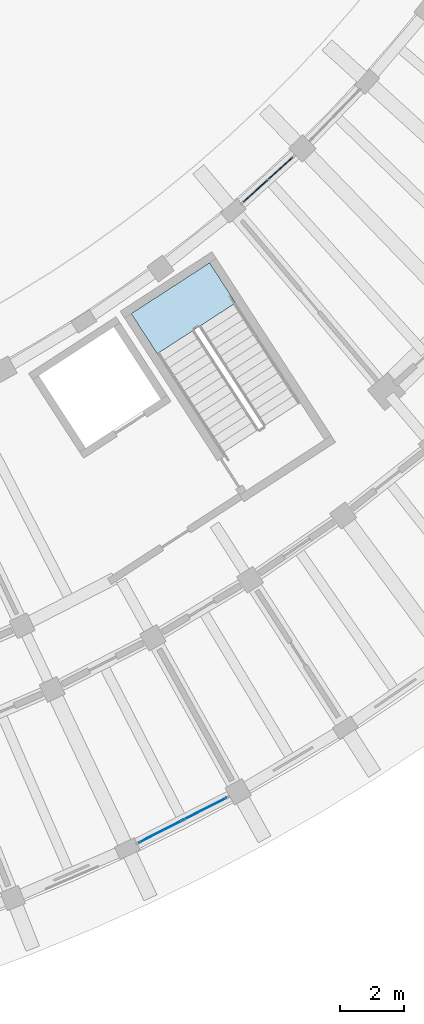
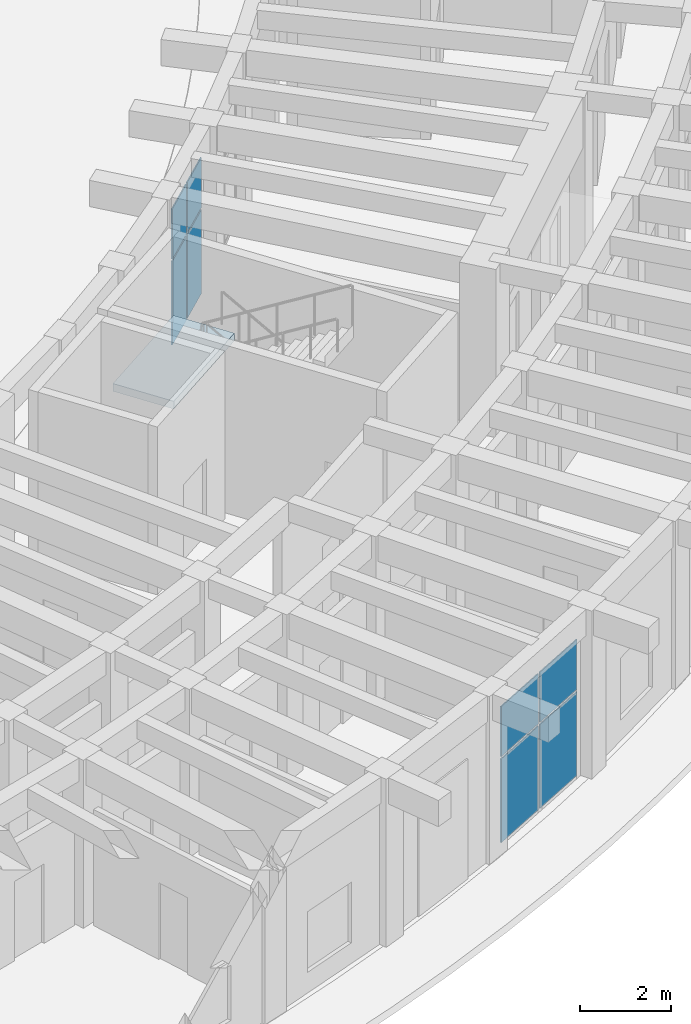
# One storey, part 80 of 132: 8 plates, 1 slab, 3 elements without a shape of their own.
"""IFC4 building model written with IfcOpenShell, lengths in metres."""

from ifc_helpers import new_model, si_unit, direction, frame, origin, origin_2d, place, context, subcontext, project, spatial, polyline, rectangle, outline, extrude, material, layer, layer_set, type_object, element, aggregate, save


model = new_model("IFC4")

# Units and contexts
model_context = context("Model", 3, precision=1e-05, world=origin(), true_north=direction((0.0, 1.0)))
body_context = subcontext(model_context, "Body", "Model", "MODEL_VIEW")
ifc_project = project(units=[si_unit("LENGTHUNIT", "METRE"), si_unit("AREAUNIT", "SQUARE_METRE"), si_unit("VOLUMEUNIT", "CUBIC_METRE"), si_unit("PLANEANGLEUNIT", "RADIAN"), si_unit("MASSUNIT", "GRAM", prefix="KILO")], contexts=[model_context])

# Site, building, storey
site_placement = place(None, origin())
site = spatial("IfcSite", under=ifc_project, at=site_placement, CompositionType="ELEMENT")
building_placement = place(site_placement, origin())
building = spatial("IfcBuilding", under=site, at=building_placement, Name="Tanwirah Colonnade Gardens", CompositionType="ELEMENT")
storey_placement = place(building_placement, origin())
storey = spatial("IfcBuildingStorey", under=building, at=storey_placement, Name="L00", CompositionType="ELEMENT", Elevation=0.0)

# Curtain wall, plates
ifc_material_1 = material(Name="Bronze-anodised aluminium and solar-control low-E glass", Category="aluminium")
curtain_wall_type_1 = type_object("IfcCurtainWallType", Name="CW-LOB", PredefinedType="NOTDEFINED", material=ifc_material_1)
curtain_wall_1_placement = place(storey_placement, origin())
curtain_wall_1 = element("IfcCurtainWall", 1, at=curtain_wall_1_placement, inside=storey, type_object=curtain_wall_type_1, Name="Curtain Wall CW-D-L00-OUT-03", PredefinedType="NOTDEFINED")
ifc_material_2 = material(Name="Solar-control low-E double glazing", Category="glass")
ifc_layer_1 = layer(ifc_material_2, 0.028076171875)
ifc_layer_set_1 = layer_set([ifc_layer_1], Name="Solar-control low-E double glazing")
plate_type = type_object("IfcPlateType", Name="CWP-GLZ28", PredefinedType="CURTAIN_PANEL", material=ifc_layer_set_1)
plate_1_placement = place(storey_placement, frame((147.44287109375, 11.1728515625, 0.06005859375), z_axis=(0.0, 0.0, 1.0), x_axis=(0.890014111869, 0.455932978269, 0.0)))
plate_1 = element("IfcPlate", 2, at=plate_1_placement, type_object=plate_type, Name="CW-LOB panel 1.1", PredefinedType="CURTAIN_PANEL", context=body_context, shape_type="SweptSolid", body=[
    extrude(rectangle(XDim=1.49853515625, YDim=0.028076171875, at=origin_2d()), origin(), (0.0, 0.0, 1.0), 2.238037109375),
])
plate_2_placement = place(storey_placement, frame((147.44287109375, 11.1728515625, 2.358154296875), z_axis=(0.0, 0.0, 1.0), x_axis=(0.890014111869, 0.455932978269, 0.0)))
plate_2 = element("IfcPlate", 3, at=plate_2_placement, type_object=plate_type, Name="CW-LOB panel 1.2", PredefinedType="CURTAIN_PANEL", context=body_context, shape_type="SweptSolid", body=[
    extrude(rectangle(XDim=1.49853515625, YDim=0.028076171875, at=origin_2d()), origin(), (0.0, 0.0, 1.0), 1.3369140625),
])
plate_3_placement = place(storey_placement, frame((148.829833984375, 11.88330078125, 0.06005859375), z_axis=(0.0, 0.0, 1.0), x_axis=(0.890014111869, 0.455932978269, 0.0)))
plate_3 = element("IfcPlate", 4, at=plate_3_placement, type_object=plate_type, Name="CW-LOB panel 2.1", PredefinedType="CURTAIN_PANEL", context=body_context, shape_type="SweptSolid", body=[
    extrude(rectangle(XDim=1.49853515625, YDim=0.028076171875, at=origin_2d()), origin(), (0.0, 0.0, 1.0), 2.238037109375),
])
plate_4_placement = place(storey_placement, frame((148.829833984375, 11.88330078125, 2.358154296875), z_axis=(0.0, 0.0, 1.0), x_axis=(0.890014111869, 0.455932978269, 0.0)))
plate_4 = element("IfcPlate", 5, at=plate_4_placement, type_object=plate_type, Name="CW-LOB panel 2.2", PredefinedType="CURTAIN_PANEL", context=body_context, shape_type="SweptSolid", body=[
    extrude(rectangle(XDim=1.49853515625, YDim=0.028076171875, at=origin_2d()), origin(), (0.0, 0.0, 1.0), 1.3369140625),
])
aggregate(curtain_wall_1, [plate_1, plate_2, plate_3, plate_4])

curtain_wall_type_2 = type_object("IfcCurtainWallType", Name="CW-GDN", PredefinedType="NOTDEFINED", material=ifc_material_1)
curtain_wall_2_placement = place(storey_placement, origin())
curtain_wall_2 = element("IfcCurtainWall", 6, at=curtain_wall_2_placement, inside=storey, type_object=curtain_wall_type_2, Name="Curtain Wall CW-D-L00-IN-07", PredefinedType="NOTDEFINED")
plate_5_placement = place(storey_placement, frame((150.404296875, 31.19287109375, 0.06005859375), z_axis=(0.0, 0.0, 1.0), x_axis=(0.741682643058, 0.670750964954, 0.0)))
plate_5 = element("IfcPlate", 7, at=plate_5_placement, type_object=plate_type, Name="CW-GDN panel 1.1", PredefinedType="CURTAIN_PANEL", context=body_context, shape_type="SweptSolid", body=[
    extrude(rectangle(XDim=1.00439453125, YDim=0.028076171875, at=origin_2d()), origin(), (0.0, 0.0, 1.0), 2.238037109375),
])
plate_6_placement = place(storey_placement, frame((150.404296875, 31.19287109375, 2.358154296875), z_axis=(0.0, 0.0, 1.0), x_axis=(0.741682643058, 0.670750964954, 0.0)))
plate_6 = element("IfcPlate", 8, at=plate_6_placement, type_object=plate_type, Name="CW-GDN panel 1.2", PredefinedType="CURTAIN_PANEL", context=body_context, shape_type="SweptSolid", body=[
    extrude(rectangle(XDim=1.00439453125, YDim=0.028076171875, at=origin_2d()), origin(), (0.0, 0.0, 1.0), 1.3369140625),
])
plate_7_placement = place(storey_placement, frame((151.193603515625, 31.90673828125, 0.06005859375), z_axis=(0.0, 0.0, 1.0), x_axis=(0.741682643058, 0.670750964954, 0.0)))
plate_7 = element("IfcPlate", 9, at=plate_7_placement, type_object=plate_type, Name="CW-GDN panel 2.1", PredefinedType="CURTAIN_PANEL", context=body_context, shape_type="SweptSolid", body=[
    extrude(rectangle(XDim=1.00439453125, YDim=0.028076171875, at=origin_2d()), origin(), (0.0, 0.0, 1.0), 2.238037109375),
])
plate_8_placement = place(storey_placement, frame((151.193603515625, 31.90673828125, 2.358154296875), z_axis=(0.0, 0.0, 1.0), x_axis=(0.741682643058, 0.670750964954, 0.0)))
plate_8 = element("IfcPlate", 10, at=plate_8_placement, type_object=plate_type, Name="CW-GDN panel 2.2", PredefinedType="CURTAIN_PANEL", context=body_context, shape_type="SweptSolid", body=[
    extrude(rectangle(XDim=1.00439453125, YDim=0.028076171875, at=origin_2d()), origin(), (0.0, 0.0, 1.0), 1.3369140625),
])
aggregate(curtain_wall_2, [plate_5, plate_6, plate_7, plate_8])

# Stair, slab
ifc_material_3 = material(Name="Precast concrete C40/50", Category="concrete")
stair_type = type_object("IfcStairType", Name="ST-RES170", PredefinedType="HALF_TURN_STAIR", material=ifc_material_3)
stair_placement = place(storey_placement, origin())
stair = element("IfcStair", 11, at=stair_placement, inside=storey, type_object=stair_type, Name="L00 Block D Core 1 Exit Stair", PredefinedType="HALF_TURN_STAIR")
ifc_layer_2 = layer(ifc_material_3, 0.205078125)
ifc_layer_set_2 = layer_set([ifc_layer_2], Name="Precast concrete C40/50")
slab_type = type_object("IfcSlabType", Name="SL-LND-205", PredefinedType="LANDING", material=ifc_layer_set_2)
slab_placement = place(storey_placement, frame((0.0, 0.0, 2.175048828125)))
slab = element("IfcSlab", 12, at=slab_placement, type_object=slab_type, Name="ST-D1 landing 1", PredefinedType="LANDING", context=body_context, shape_type="SweptSolid", body=[
    extrude(outline(polyline([(149.788818359375, 27.697021484375), (148.974609375, 28.950927734375), (146.525634765625, 27.360595703125), (147.33984375, 26.106689453125), (149.788818359375, 27.697021484375)])), origin(), (0.0, 0.0, 1.0), 0.204833984375),
])
aggregate(stair, [slab])

save(model, "model.ifc")
